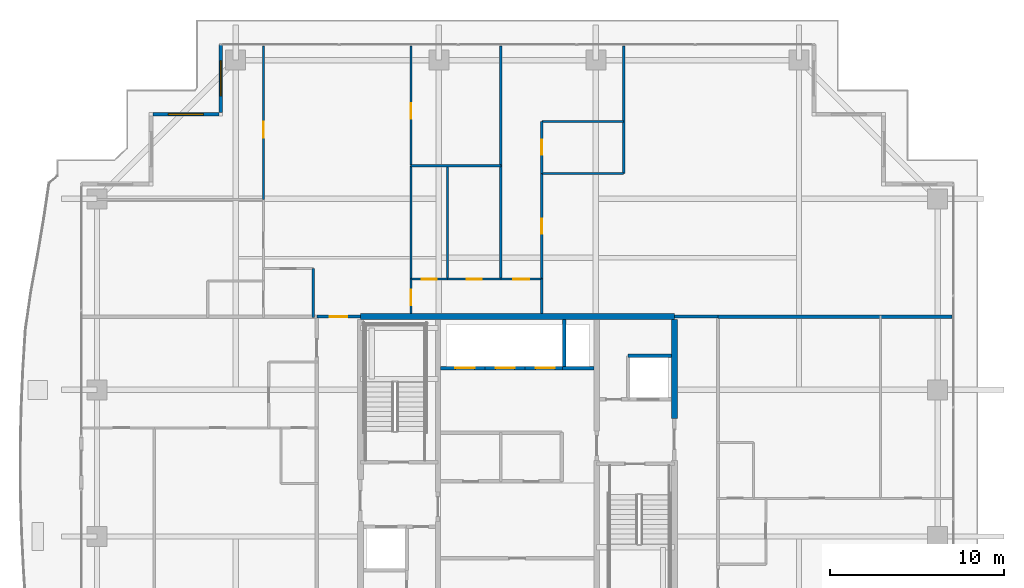
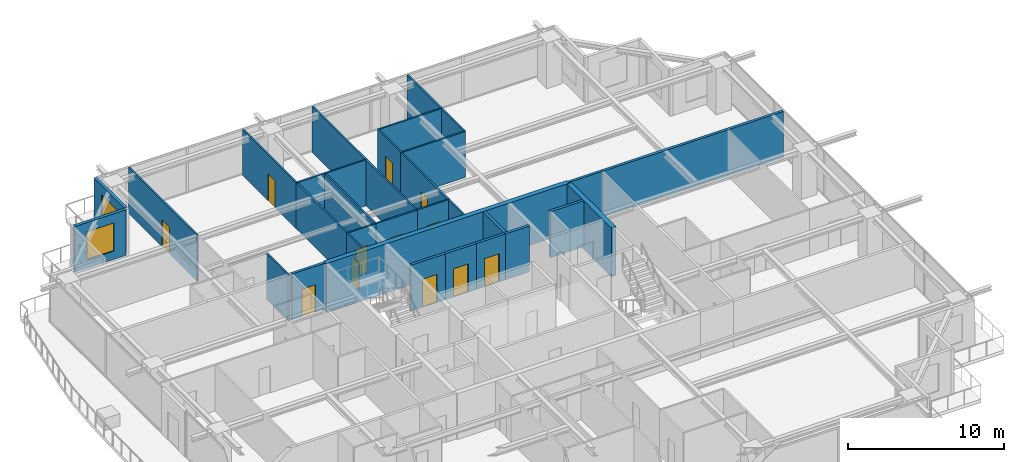
# One storey, part 28 of 36: 30 walls, 12 doors, 2 windows, 14 openings.
"""IFC4 building model written with IfcOpenShell, lengths in metres."""

from ifc_helpers import new_model, si_unit, direction, frame, frame_2d, origin, place, context, subcontext, project, spatial, rectangle, extrude, source, transform, mapped, material, layer, layer_set, type_object, element, fill, save


model = new_model("IFC4")

# Units and contexts
model_context = context("Model", 3, precision=1e-05, world=origin(), true_north=direction((0.0, 1.0)))
body_context = subcontext(model_context, "Body", "Model", "MODEL_VIEW")
ifc_project = project(units=[si_unit("LENGTHUNIT", "METRE"), si_unit("AREAUNIT", "SQUARE_METRE"), si_unit("VOLUMEUNIT", "CUBIC_METRE"), si_unit("PLANEANGLEUNIT", "RADIAN"), si_unit("MASSUNIT", "GRAM", prefix="KILO")], contexts=[model_context])

# Site, building, storey
site_placement = place(None, origin())
site = spatial("IfcSite", under=ifc_project, at=site_placement, CompositionType="ELEMENT")
building_placement = place(site_placement, origin())
building = spatial("IfcBuilding", under=site, at=building_placement, Name="Serunith Strait Residences", CompositionType="ELEMENT")
storey_placement = place(building_placement, frame((0.0, 0.0, 225.85009765625)))
storey = spatial("IfcBuildingStorey", under=building, at=storey_placement, Name="L56", CompositionType="ELEMENT", Elevation=225.85009765625)

# Wall, opening, window
ifc_material_1 = material(Name="Pale-Champagne Aluminium Insulated Panel", Category="aluminium")
ifc_layer_1 = layer(ifc_material_1, 0.219970703125, Name="Pale-Champagne Aluminium Insulated Panel")
ifc_layer_set_1 = layer_set([ifc_layer_1], Name="Pale-Champagne Aluminium Insulated Panel")
wall_type_1 = type_object("IfcWallType", Name="EW-ALUM-220", PredefinedType="ELEMENTEDWALL", material=ifc_layer_set_1)
wall_1_placement = place(storey_placement, frame((15.39990234375, 49.199951171875, 0.0), z_axis=(0.0, 0.0, 1.0), x_axis=(0.0, -1.0, 0.0)))
wall_1 = element("IfcWall", 1, at=wall_1_placement, inside=storey, type_object=wall_type_1, Name="L56 Girih Serrated Corner Wall 12", PredefinedType="ELEMENTEDWALL", context=body_context, shape_type="SweptSolid", body=[
    extrude(rectangle(XDim=3.889892578125, YDim=0.219970703125, at=frame_2d((1.94482421875, 0.0))), origin(), (0.0, 0.0, 1.0), 3.574951171875),
])
opening_1_placement = place(wall_1_placement, frame((0.945068359375, 0.0, 0.64990234375)))
opening_1 = element("IfcOpeningElement", 2, at=opening_1_placement, cuts=wall_1, Name="Opening W-04", PredefinedType="OPENING", context=body_context, shape_type="SweptSolid", body=[
    extrude(rectangle(XDim=2.0, YDim=2.199951171875, at=frame_2d((1.0, 1.10009765625))), frame((0.0, 0.1201171875, 0.0), z_axis=(0.0, -1.0, 0.0), x_axis=(1.0, 0.0, 0.0)), (0.0, 0.0, 1.0), 0.239990234375),
])
ifc_material_2 = material(Name="Ceramic-Fritted Operable Aluminium Window Glass", Category="aluminium")
window_type = type_object("IfcWindowType", Name="WIN-C4", PartitioningType="TRIPLE_PANEL_VERTICAL", PredefinedType="WINDOW", material=ifc_material_2)
shared_shape_1 = source(origin(), body_context, "Body", "SweptSolid", [
    extrude(rectangle(XDim=2.0, YDim=2.199951171875, at=frame_2d((1.0, 1.10009765625))), frame((0.0, 0.030029296875, 0.0), z_axis=(0.0, -1.0, 0.0), x_axis=(1.0, 0.0, 0.0)), (0.0, 0.0, 1.0), 0.06005859375),
])
window_1_placement = place(opening_1_placement, origin())
window_1 = element("IfcWindow", 3, at=window_1_placement, inside=storey, type_object=window_type, Name="L56 Corner Operable Fritted Window 12", OverallHeight=2.199951171875, OverallWidth=2.0, PartitioningType="SINGLE_PANEL", PredefinedType="WINDOW", context=body_context, shape_type="MappedRepresentation", body=[
    mapped(shared_shape_1, transform((0.0, 0.0, 0.0), scale=1.0)),
])
fill(opening_1, window_1)

wall_2_placement = place(storey_placement, frame((15.2900390625, 45.199951171875, 0.0), z_axis=(0.0, 0.0, 1.0), x_axis=(-1.0, 0.0, 0.0)))
wall_2 = element("IfcWall", 4, at=wall_2_placement, inside=storey, type_object=wall_type_1, Name="L56 Girih Serrated Corner Wall 13", PredefinedType="ELEMENTEDWALL", context=body_context, shape_type="SweptSolid", body=[
    extrude(rectangle(XDim=3.780029296875, YDim=0.219970703125, at=frame_2d((1.89013671875, 0.0))), origin(), (0.0, 0.0, 1.0), 3.574951171875),
])
opening_2_placement = place(wall_2_placement, frame((0.889892578125, 0.0, 0.64990234375)))
opening_2 = element("IfcOpeningElement", 5, at=opening_2_placement, cuts=wall_2, Name="Opening W-04", PredefinedType="OPENING", context=body_context, shape_type="SweptSolid", body=[
    extrude(rectangle(XDim=2.0, YDim=2.199951171875, at=frame_2d((1.0, 1.10009765625))), frame((0.0, 0.1201171875, 0.0), z_axis=(0.0, -1.0, 0.0), x_axis=(1.0, 0.0, 0.0)), (0.0, 0.0, 1.0), 0.239990234375),
])
window_2_placement = place(opening_2_placement, origin())
window_2 = element("IfcWindow", 6, at=window_2_placement, inside=storey, type_object=window_type, Name="L56 Corner Operable Fritted Window 13", OverallHeight=2.199951171875, OverallWidth=2.0, PartitioningType="SINGLE_PANEL", PredefinedType="WINDOW", context=body_context, shape_type="MappedRepresentation", body=[
    mapped(shared_shape_1, transform((0.0, 0.0, 0.0), scale=1.0)),
])
fill(opening_2, window_2)

# Wall, opening, door
ifc_material_3 = material(Name="Fire-rated acoustic gypsum partition")
ifc_layer_2 = layer(ifc_material_3, 0.179931640625, Name="Fire-rated acoustic gypsum partition")
ifc_layer_set_2 = layer_set([ifc_layer_2], Name="Fire-rated acoustic gypsum partition")
wall_type_2 = type_object("IfcWallType", Name="IW-CORR-180", PredefinedType="PARTITIONING", material=ifc_layer_set_2)
wall_3_placement = place(storey_placement, frame((20.902099609375, 33.60009765625, 0.0), z_axis=(0.0, 0.0, 1.0), x_axis=(1.0, 0.0, 0.0)))
wall_3 = element("IfcWall", 7, at=wall_3_placement, inside=storey, type_object=wall_type_2, Name="L56 Partition Wall 023", PredefinedType="PARTITIONING", context=body_context, shape_type="SweptSolid", body=[
    extrude(rectangle(XDim=2.495849609375, YDim=0.179931640625, at=frame_2d((1.248046875, 0.0))), origin(), (0.0, 0.0, 1.0), 3.58984375),
])
opening_3_placement = place(wall_3_placement, frame((0.748046875, 0.0, 0.0)))
opening_3 = element("IfcOpeningElement", 8, at=opening_3_placement, cuts=wall_3, Name="Opening D-APT1000", PredefinedType="OPENING", context=body_context, shape_type="SweptSolid", body=[
    extrude(rectangle(XDim=1.0, YDim=2.14990234375, at=frame_2d((0.5, 1.074951171875))), frame((0.0, 0.10009765625, 0.0), z_axis=(0.0, -1.0, 0.0), x_axis=(1.0, 0.0, 0.0)), (0.0, 0.0, 1.0), 0.199951171875),
])
ifc_material_4 = material(Name="Solid timber engineered fire door", Category="wood")
door_type_1 = type_object("IfcDoorType", Name="ID-APT-1000", OperationType="NOTDEFINED", PredefinedType="DOOR", material=ifc_material_4)
shared_shape_2 = source(origin(), body_context, "Body", "SweptSolid", [
    extrude(rectangle(XDim=1.0, YDim=2.14990234375, at=frame_2d((0.5, 1.074951171875))), frame((0.0, 0.02490234375, 0.0), z_axis=(0.0, -1.0, 0.0), x_axis=(1.0, 0.0, 0.0)), (0.0, 0.0, 1.0), 0.050048828125),
])
door_1_placement = place(opening_3_placement, origin())
door_1 = element("IfcDoor", 9, at=door_1_placement, inside=storey, type_object=door_type_1, Name="L56 Unit 02 Entrance Door", OperationType="SINGLE_SWING_RIGHT", OverallHeight=2.14990234375, OverallWidth=1.0, PredefinedType="DOOR", context=body_context, shape_type="MappedRepresentation", body=[
    mapped(shared_shape_2, transform((0.0, 0.0, 0.0), scale=1.0)),
])
fill(opening_3, door_1)

# Walls
wall_4_placement = place(storey_placement, frame((41.402099609375, 33.60009765625, 0.0), z_axis=(0.0, 0.0, 1.0), x_axis=(1.0, 0.0, 0.0)))
element("IfcWall", 10, at=wall_4_placement, inside=storey, type_object=wall_type_2, Name="L56 Partition Wall 026", PredefinedType="PARTITIONING", context=body_context, shape_type="SweptSolid", body=[
    extrude(rectangle(XDim=2.495849609375, YDim=0.179931640625, at=frame_2d((1.248046875, 0.0))), origin(), (0.0, 0.0, 1.0), 3.58984375),
])
ifc_material_5 = material(Name="Lightweight steel-stud gypsum partition", Category="steel")
ifc_layer_3 = layer(ifc_material_5, 0.1201171875, Name="Lightweight steel-stud gypsum partition")
ifc_layer_set_3 = layer_set([ifc_layer_3], Name="Lightweight steel-stud gypsum partition")
wall_type_3 = type_object("IfcWallType", Name="IW-PART-120", PredefinedType="PARTITIONING", material=ifc_layer_set_3)
wall_5_placement = place(storey_placement, frame((20.699951171875, 36.35009765625, 0.0), z_axis=(0.0, 0.0, 1.0), x_axis=(0.0, -1.0, 0.0)))
element("IfcWall", 11, at=wall_5_placement, inside=storey, type_object=wall_type_3, Name="L56 Partition Wall 052", PredefinedType="PARTITIONING", context=body_context, shape_type="SweptSolid", body=[
    extrude(rectangle(XDim=2.81005859375, YDim=0.1201171875, at=frame_2d((1.405029296875, 0.0))), origin(), (0.0, 0.0, 1.0), 3.58984375),
])

# Wall, opening, door
wall_6_placement = place(storey_placement, frame((17.85009765625, 49.10498046875, 0.0), z_axis=(0.0, 0.0, 1.0), x_axis=(0.0, -1.0, 0.0)))
wall_6 = element("IfcWall", 12, at=wall_6_placement, inside=storey, type_object=wall_type_3, Name="L56 Partition Wall 053", PredefinedType="PARTITIONING", context=body_context, shape_type="SweptSolid", body=[
    extrude(rectangle(XDim=8.799072265625, YDim=0.1201171875, at=frame_2d((4.3994140625, 0.0))), origin(), (0.0, 0.0, 1.0), 3.58984375),
])
opening_4_placement = place(wall_6_placement, frame((4.343994140625, 0.0, 0.0)))
opening_4 = element("IfcOpeningElement", 13, at=opening_4_placement, cuts=wall_6, Name="Opening D-RM900", PredefinedType="OPENING", context=body_context, shape_type="SweptSolid", body=[
    extrude(rectangle(XDim=0.89990234375, YDim=2.10009765625, at=frame_2d((0.449951171875, 1.050048828125))), frame((0.0, 0.070068359375, 0.0), z_axis=(0.0, -1.0, 0.0), x_axis=(1.0, 0.0, 0.0)), (0.0, 0.0, 1.0), 0.14013671875),
])
ifc_material_6 = material(Name="Engineered timber flush bedroom door", Category="wood")
door_type_2 = type_object("IfcDoorType", Name="ID-ROOM-900", OperationType="NOTDEFINED", PredefinedType="DOOR", material=ifc_material_6)
shared_shape_3 = source(origin(), body_context, "Body", "SweptSolid", [
    extrude(rectangle(XDim=0.89990234375, YDim=2.10009765625, at=frame_2d((0.449951171875, 1.050048828125))), frame((0.0, 0.02490234375, 0.0), z_axis=(0.0, -1.0, 0.0), x_axis=(1.0, 0.0, 0.0)), (0.0, 0.0, 1.0), 0.050048828125),
])
door_2_placement = place(opening_4_placement, origin())
door_2 = element("IfcDoor", 14, at=door_2_placement, inside=storey, type_object=door_type_2, Name="L56 Master Bedroom 1 5602 Door", OperationType="SINGLE_SWING_LEFT", OverallHeight=2.10009765625, OverallWidth=0.89990234375, PredefinedType="DOOR", context=body_context, shape_type="MappedRepresentation", body=[
    mapped(shared_shape_3, transform((0.0, 0.0, 0.0), scale=1.0)),
])
fill(opening_4, door_2)

wall_7_placement = place(storey_placement, frame((26.300048828125, 35.75, 0.0), z_axis=(0.0, 0.0, 1.0), x_axis=(0.0, -1.0, 0.0)))
wall_7 = element("IfcWall", 15, at=wall_7_placement, inside=storey, type_object=wall_type_3, Name="L56 Partition Wall 059", PredefinedType="PARTITIONING", context=body_context, shape_type="SweptSolid", body=[
    extrude(rectangle(XDim=1.97509765625, YDim=0.1201171875, at=frame_2d((0.987548828125, 0.0))), origin(), (0.0, 0.0, 1.0), 3.58984375),
])
opening_5_placement = place(wall_7_placement, frame((0.60107421875, 0.0, 0.0)))
opening_5 = element("IfcOpeningElement", 16, at=opening_5_placement, cuts=wall_7, Name="Opening D-RM900", PredefinedType="OPENING", context=body_context, shape_type="SweptSolid", body=[
    extrude(rectangle(XDim=0.89990234375, YDim=2.10009765625, at=frame_2d((0.449951171875, 1.050048828125))), frame((0.0, 0.070068359375, 0.0), z_axis=(0.0, -1.0, 0.0), x_axis=(1.0, 0.0, 0.0)), (0.0, 0.0, 1.0), 0.14013671875),
])
door_3_placement = place(opening_5_placement, origin())
door_3 = element("IfcDoor", 17, at=door_3_placement, inside=storey, type_object=door_type_2, Name="L56 Hall E 5602 Door", OperationType="SINGLE_SWING_RIGHT", OverallHeight=2.10009765625, OverallWidth=0.89990234375, PredefinedType="DOOR", context=body_context, shape_type="MappedRepresentation", body=[
    mapped(shared_shape_3, transform((0.0, 0.0, 0.0), scale=1.0)),
])
fill(opening_5, door_3)

wall_8_placement = place(storey_placement, frame((26.300048828125, 49.10498046875, 0.0), z_axis=(0.0, 0.0, 1.0), x_axis=(0.0, -1.0, 0.0)))
wall_8 = element("IfcWall", 18, at=wall_8_placement, inside=storey, type_object=wall_type_3, Name="L56 Partition Wall 060", PredefinedType="PARTITIONING", context=body_context, shape_type="SweptSolid", body=[
    extrude(rectangle(XDim=6.85498046875, YDim=0.1201171875, at=frame_2d((3.427490234375, 0.0))), origin(), (0.0, 0.0, 1.0), 3.58984375),
])
opening_6_placement = place(wall_8_placement, frame((3.27490234375, 0.0, 0.0)))
opening_6 = element("IfcOpeningElement", 19, at=opening_6_placement, cuts=wall_8, Name="Opening D-RM900", PredefinedType="OPENING", context=body_context, shape_type="SweptSolid", body=[
    extrude(rectangle(XDim=0.89990234375, YDim=2.10009765625, at=frame_2d((0.449951171875, 1.050048828125))), frame((0.0, 0.070068359375, 0.0), z_axis=(0.0, -1.0, 0.0), x_axis=(1.0, 0.0, 0.0)), (0.0, 0.0, 1.0), 0.14013671875),
])
door_4_placement = place(opening_6_placement, origin())
door_4 = element("IfcDoor", 20, at=door_4_placement, inside=storey, type_object=door_type_2, Name="L56 Formal Dining Room 2 5602 Door", OperationType="SINGLE_SWING_LEFT", OverallHeight=2.10009765625, OverallWidth=0.89990234375, PredefinedType="DOOR", context=body_context, shape_type="MappedRepresentation", body=[
    mapped(shared_shape_3, transform((0.0, 0.0, 0.0), scale=1.0)),
])
fill(opening_6, door_4)

# Walls
wall_9_placement = place(storey_placement, frame((26.300048828125, 42.248046875, 0.0), z_axis=(0.0, 0.0, 1.0), x_axis=(0.0, -1.0, 0.0)))
element("IfcWall", 21, at=wall_9_placement, inside=storey, type_object=wall_type_3, Name="L56 Partition Wall 061", PredefinedType="PARTITIONING", context=body_context, shape_type="SweptSolid", body=[
    extrude(rectangle(XDim=6.49609375, YDim=0.1201171875, at=frame_2d((3.248046875, 0.0))), origin(), (0.0, 0.0, 1.0), 3.58984375),
])
wall_10_placement = place(storey_placement, frame((26.300048828125, 42.25, 0.0), z_axis=(0.0, 0.0, 1.0), x_axis=(1.0, 0.0, 0.0)))
element("IfcWall", 22, at=wall_10_placement, inside=storey, type_object=wall_type_3, Name="L56 Partition Wall 062", PredefinedType="PARTITIONING", context=body_context, shape_type="SweptSolid", body=[
    extrude(rectangle(XDim=5.14990234375, YDim=0.1201171875, at=frame_2d((2.574951171875, 0.0))), origin(), (0.0, 0.0, 1.0), 3.58984375),
])
wall_11_placement = place(storey_placement, frame((31.449951171875, 49.10498046875, 0.0), z_axis=(0.0, 0.0, 1.0), x_axis=(0.0, -1.0, 0.0)))
element("IfcWall", 23, at=wall_11_placement, inside=storey, type_object=wall_type_3, Name="L56 Partition Wall 063", PredefinedType="PARTITIONING", context=body_context, shape_type="SweptSolid", body=[
    extrude(rectangle(XDim=13.35498046875, YDim=0.1201171875, at=frame_2d((6.677490234375, 0.0))), origin(), (0.0, 0.0, 1.0), 3.58984375),
])
wall_12_placement = place(storey_placement, frame((28.39990234375, 42.25, 0.0), z_axis=(0.0, 0.0, 1.0), x_axis=(0.0, -1.0, 0.0)))
element("IfcWall", 24, at=wall_12_placement, inside=storey, type_object=wall_type_3, Name="L56 Partition Wall 064", PredefinedType="PARTITIONING", context=body_context, shape_type="SweptSolid", body=[
    extrude(rectangle(XDim=6.5, YDim=0.1201171875, at=frame_2d((3.25, 0.0))), origin(), (0.0, 0.0, 1.0), 3.58984375),
])

# Wall, opening, door
wall_13_placement = place(storey_placement, frame((26.300048828125, 35.75, 0.0), z_axis=(0.0, 0.0, 1.0), x_axis=(1.0, 0.0, 0.0)))
wall_13 = element("IfcWall", 25, at=wall_13_placement, inside=storey, type_object=wall_type_3, Name="L56 Partition Wall 065", PredefinedType="PARTITIONING", context=body_context, shape_type="SweptSolid", body=[
    extrude(rectangle(XDim=2.099853515625, YDim=0.1201171875, at=frame_2d((1.0498046875, 0.0))), origin(), (0.0, 0.0, 1.0), 3.58984375),
])
opening_7_placement = place(wall_13_placement, frame((0.625, 0.0, 0.0)))
opening_7 = element("IfcOpeningElement", 26, at=opening_7_placement, cuts=wall_13, Name="Opening D-RM850", PredefinedType="OPENING", context=body_context, shape_type="SweptSolid", body=[
    extrude(rectangle(XDim=0.85009765625, YDim=2.10009765625, at=frame_2d((0.425048828125, 1.050048828125))), frame((0.0, 0.070068359375, 0.0), z_axis=(0.0, -1.0, 0.0), x_axis=(1.0, 0.0, 0.0)), (0.0, 0.0, 1.0), 0.14013671875),
])
ifc_material_7 = material(Name="Engineered timber flush study and kitchen door", Category="wood")
door_type_3 = type_object("IfcDoorType", Name="ID-ROOM-850", OperationType="NOTDEFINED", PredefinedType="DOOR", material=ifc_material_7)
shared_shape_4 = source(origin(), body_context, "Body", "SweptSolid", [
    extrude(rectangle(XDim=0.85009765625, YDim=2.10009765625, at=frame_2d((0.425048828125, 1.050048828125))), frame((0.0, 0.02490234375, 0.0), z_axis=(0.0, -1.0, 0.0), x_axis=(1.0, 0.0, 0.0)), (0.0, 0.0, 1.0), 0.050048828125),
])
door_5_placement = place(opening_7_placement, origin())
door_5 = element("IfcDoor", 27, at=door_5_placement, inside=storey, type_object=door_type_3, Name="L56 Study 5602 Door", OperationType="SINGLE_SWING_RIGHT", OverallHeight=2.10009765625, OverallWidth=0.85009765625, PredefinedType="DOOR", context=body_context, shape_type="MappedRepresentation", body=[
    mapped(shared_shape_4, transform((0.0, 0.0, 0.0), scale=1.0)),
])
fill(opening_7, door_5)

wall_14_placement = place(storey_placement, frame((28.402099609375, 35.75, 0.0), z_axis=(0.0, 0.0, 1.0), x_axis=(1.0, 0.0, 0.0)))
wall_14 = element("IfcWall", 28, at=wall_14_placement, inside=storey, type_object=wall_type_3, Name="L56 Partition Wall 066", PredefinedType="PARTITIONING", context=body_context, shape_type="SweptSolid", body=[
    extrude(rectangle(XDim=3.0478515625, YDim=0.1201171875, at=frame_2d((1.52392578125, 0.0))), origin(), (0.0, 0.0, 1.0), 3.58984375),
])
opening_8_placement = place(wall_14_placement, frame((1.09912109375, 0.0, 0.0)))
opening_8 = element("IfcOpeningElement", 29, at=opening_8_placement, cuts=wall_14, Name="Opening D-RM850", PredefinedType="OPENING", context=body_context, shape_type="SweptSolid", body=[
    extrude(rectangle(XDim=0.85009765625, YDim=2.10009765625, at=frame_2d((0.425048828125, 1.050048828125))), frame((0.0, 0.070068359375, 0.0), z_axis=(0.0, -1.0, 0.0), x_axis=(1.0, 0.0, 0.0)), (0.0, 0.0, 1.0), 0.14013671875),
])
door_6_placement = place(opening_8_placement, origin())
door_6 = element("IfcDoor", 30, at=door_6_placement, inside=storey, type_object=door_type_3, Name="L56 Formal Dining Room 5602 Door", OperationType="SINGLE_SWING_LEFT", OverallHeight=2.10009765625, OverallWidth=0.85009765625, PredefinedType="DOOR", context=body_context, shape_type="MappedRepresentation", body=[
    mapped(shared_shape_4, transform((0.0, 0.0, 0.0), scale=1.0)),
])
fill(opening_8, door_6)

wall_15_placement = place(storey_placement, frame((31.451904296875, 35.75, 0.0), z_axis=(0.0, 0.0, 1.0), x_axis=(1.0, 0.0, 0.0)))
wall_15 = element("IfcWall", 31, at=wall_15_placement, inside=storey, type_object=wall_type_3, Name="L56 Partition Wall 067", PredefinedType="PARTITIONING", context=body_context, shape_type="SweptSolid", body=[
    extrude(rectangle(XDim=2.34814453125, YDim=0.1201171875, at=frame_2d((1.174072265625, 0.0))), origin(), (0.0, 0.0, 1.0), 3.58984375),
])
opening_9_placement = place(wall_15_placement, frame((0.72412109375, 0.0, 0.0)))
opening_9 = element("IfcOpeningElement", 32, at=opening_9_placement, cuts=wall_15, Name="Opening D-RM900", PredefinedType="OPENING", context=body_context, shape_type="SweptSolid", body=[
    extrude(rectangle(XDim=0.89990234375, YDim=2.10009765625, at=frame_2d((0.449951171875, 1.050048828125))), frame((0.0, 0.070068359375, 0.0), z_axis=(0.0, -1.0, 0.0), x_axis=(1.0, 0.0, 0.0)), (0.0, 0.0, 1.0), 0.14013671875),
])
door_7_placement = place(opening_9_placement, origin())
door_7 = element("IfcDoor", 33, at=door_7_placement, inside=storey, type_object=door_type_2, Name="L56 Master Bedroom E 5602 Door", OperationType="SINGLE_SWING_RIGHT", OverallHeight=2.10009765625, OverallWidth=0.89990234375, PredefinedType="DOOR", context=body_context, shape_type="MappedRepresentation", body=[
    mapped(shared_shape_3, transform((0.0, 0.0, 0.0), scale=1.0)),
])
fill(opening_9, door_7)

# Walls
wall_16_placement = place(storey_placement, frame((33.800048828125, 44.791015625, 0.0), z_axis=(0.0, 0.0, 1.0), x_axis=(1.0, 0.0, 0.0)))
element("IfcWall", 34, at=wall_16_placement, inside=storey, type_object=wall_type_3, Name="L56 Partition Wall 068", PredefinedType="PARTITIONING", context=body_context, shape_type="SweptSolid", body=[
    extrude(rectangle(XDim=4.699951171875, YDim=0.1201171875, at=frame_2d((2.35009765625, 0.0))), origin(), (0.0, 0.0, 1.0), 3.58984375),
])
wall_17_placement = place(storey_placement, frame((38.5, 49.10498046875, 0.0), z_axis=(0.0, 0.0, 1.0), x_axis=(0.0, -1.0, 0.0)))
element("IfcWall", 35, at=wall_17_placement, inside=storey, type_object=wall_type_3, Name="L56 Partition Wall 069", PredefinedType="PARTITIONING", context=body_context, shape_type="SweptSolid", body=[
    extrude(rectangle(XDim=7.29296875, YDim=0.1201171875, at=frame_2d((3.646484375, 0.0))), origin(), (0.0, 0.0, 1.0), 3.58984375),
])
wall_18_placement = place(storey_placement, frame((33.800048828125, 41.81201171875, 0.0), z_axis=(0.0, 0.0, 1.0), x_axis=(1.0, 0.0, 0.0)))
element("IfcWall", 36, at=wall_18_placement, inside=storey, type_object=wall_type_3, Name="L56 Partition Wall 070", PredefinedType="PARTITIONING", context=body_context, shape_type="SweptSolid", body=[
    extrude(rectangle(XDim=4.699951171875, YDim=0.1201171875, at=frame_2d((2.35009765625, 0.0))), origin(), (0.0, 0.0, 1.0), 3.58984375),
])

# Wall, opening, door
wall_19_placement = place(storey_placement, frame((33.800048828125, 44.791015625, 0.0), z_axis=(0.0, 0.0, 1.0), x_axis=(0.0, -1.0, 0.0)))
wall_19 = element("IfcWall", 37, at=wall_19_placement, inside=storey, type_object=wall_type_3, Name="L56 Partition Wall 071", PredefinedType="PARTITIONING", context=body_context, shape_type="SweptSolid", body=[
    extrude(rectangle(XDim=2.97900390625, YDim=0.1201171875, at=frame_2d((1.489501953125, 0.0))), origin(), (0.0, 0.0, 1.0), 3.58984375),
])
opening_10_placement = place(wall_19_placement, frame((1.06396484375, 0.0, 0.0)))
opening_10 = element("IfcOpeningElement", 38, at=opening_10_placement, cuts=wall_19, Name="Opening D-BTH850", PredefinedType="OPENING", context=body_context, shape_type="SweptSolid", body=[
    extrude(rectangle(XDim=0.85009765625, YDim=2.10009765625, at=frame_2d((0.425048828125, 1.050048828125))), frame((0.0, 0.070068359375, 0.0), z_axis=(0.0, -1.0, 0.0), x_axis=(1.0, 0.0, 0.0)), (0.0, 0.0, 1.0), 0.14013671875),
])
ifc_material_8 = material(Name="Moisture-resistant timber bathroom door", Category="wood")
door_type_4 = type_object("IfcDoorType", Name="ID-BATH-850", OperationType="NOTDEFINED", PredefinedType="DOOR", material=ifc_material_8)
door_8_placement = place(opening_10_placement, origin())
door_8 = element("IfcDoor", 39, at=door_8_placement, inside=storey, type_object=door_type_4, Name="L56 En-suite Bathroom E 5602 Door", OperationType="SINGLE_SWING_LEFT", OverallHeight=2.10009765625, OverallWidth=0.85009765625, PredefinedType="DOOR", context=body_context, shape_type="MappedRepresentation", body=[
    mapped(shared_shape_4, transform((0.0, 0.0, 0.0), scale=1.0)),
])
fill(opening_10, door_8)

wall_20_placement = place(storey_placement, frame((33.800048828125, 41.81005859375, 0.0), z_axis=(0.0, 0.0, 1.0), x_axis=(0.0, -1.0, 0.0)))
wall_20 = element("IfcWall", 40, at=wall_20_placement, inside=storey, type_object=wall_type_3, Name="L56 Partition Wall 072", PredefinedType="PARTITIONING", context=body_context, shape_type="SweptSolid", body=[
    extrude(rectangle(XDim=6.06005859375, YDim=0.1201171875, at=frame_2d((3.030029296875, 0.0))), origin(), (0.0, 0.0, 1.0), 3.58984375),
])
opening_11_placement = place(wall_20_placement, frame((2.60498046875, 0.0, 0.0)))
opening_11 = element("IfcOpeningElement", 41, at=opening_11_placement, cuts=wall_20, Name="Opening D-RM850", PredefinedType="OPENING", context=body_context, shape_type="SweptSolid", body=[
    extrude(rectangle(XDim=0.85009765625, YDim=2.10009765625, at=frame_2d((0.425048828125, 1.050048828125))), frame((0.0, 0.070068359375, 0.0), z_axis=(0.0, -1.0, 0.0), x_axis=(1.0, 0.0, 0.0)), (0.0, 0.0, 1.0), 0.14013671875),
])
door_9_placement = place(opening_11_placement, origin())
door_9 = element("IfcDoor", 42, at=door_9_placement, inside=storey, type_object=door_type_3, Name="L56 Wardrobe E 5602 Door", OperationType="SINGLE_SWING_RIGHT", OverallHeight=2.10009765625, OverallWidth=0.85009765625, PredefinedType="DOOR", context=body_context, shape_type="MappedRepresentation", body=[
    mapped(shared_shape_4, transform((0.0, 0.0, 0.0), scale=1.0)),
])
fill(opening_11, door_9)

# Walls
wall_21_placement = place(storey_placement, frame((33.800048828125, 35.748046875, 0.0), z_axis=(0.0, 0.0, 1.0), x_axis=(0.0, -1.0, 0.0)))
element("IfcWall", 43, at=wall_21_placement, inside=storey, type_object=wall_type_3, Name="L56 Partition Wall 073", PredefinedType="PARTITIONING", context=body_context, shape_type="SweptSolid", body=[
    extrude(rectangle(XDim=1.97314453125, YDim=0.1201171875, at=frame_2d((0.986572265625, 0.0))), origin(), (0.0, 0.0, 1.0), 3.58984375),
])
ifc_material_9 = material(Name="Twin-stud acoustic gypsum board partition")
ifc_layer_4 = layer(ifc_material_9, 0.199951171875, Name="Twin-stud acoustic gypsum board partition")
ifc_layer_set_4 = layer_set([ifc_layer_4], Name="Twin-stud acoustic gypsum board partition")
wall_type_4 = type_object("IfcWallType", Name="IW-PARTY-200", PredefinedType="PARTITIONING", material=ifc_layer_set_4)
wall_22_placement = place(storey_placement, frame((43.89990234375, 33.60009765625, 0.0), z_axis=(0.0, 0.0, 1.0), x_axis=(1.0, 0.0, 0.0)))
element("IfcWall", 44, at=wall_22_placement, inside=storey, type_object=wall_type_4, Name="L56 Partition Wall 021", PredefinedType="PARTITIONING", context=body_context, shape_type="SweptSolid", body=[
    extrude(rectangle(XDim=13.418212890625, YDim=0.199951171875, at=frame_2d((6.708984375, 0.0))), origin(), (0.0, 0.0, 1.0), 3.58984375),
])

# Wall, opening, door
ifc_material_10 = material(Name="Autoclaved aerated concrete blockwork", Category="masonry")
ifc_layer_5 = layer(ifc_material_10, 0.199951171875, Name="Autoclaved aerated concrete blockwork")
ifc_layer_set_5 = layer_set([ifc_layer_5], Name="Autoclaved aerated concrete blockwork")
wall_type_5 = type_object("IfcWallType", Name="IW-SHAFT-200", PredefinedType="STANDARD", material=ifc_layer_set_5)
wall_23_placement = place(storey_placement, frame((28.0, 30.64990234375, 0.0), z_axis=(0.0, 0.0, 1.0), x_axis=(1.0, 0.0, 0.0)))
wall_23 = element("IfcWall", 45, at=wall_23_placement, inside=storey, type_object=wall_type_5, Name="L56 PL-7 South Shaft Wall", PredefinedType="STANDARD", context=body_context, shape_type="SweptSolid", body=[
    extrude(rectangle(XDim=2.550048828125, YDim=0.199951171875, at=frame_2d((1.27490234375, 0.0))), origin(), (0.0, 0.0, 1.0), 3.58984375),
])
opening_12_placement = place(wall_23_placement, frame((0.85009765625, 0.0, 0.0)))
opening_12 = element("IfcOpeningElement", 46, at=opening_12_placement, cuts=wall_23, Name="Opening LD-1100", PredefinedType="OPENING", context=body_context, shape_type="SweptSolid", body=[
    extrude(rectangle(XDim=1.10009765625, YDim=2.199951171875, at=frame_2d((0.550048828125, 1.10009765625))), frame((0.0, 0.10986328125, 0.0), z_axis=(0.0, -1.0, 0.0), x_axis=(1.0, 0.0, 0.0)), (0.0, 0.0, 1.0), 0.219970703125),
])
ifc_material_11 = material(Name="Pale-champagne stainless landing door")
door_type_5 = type_object("IfcDoorType", Name="LD-LIFT-1100", OperationType="DOUBLE_DOOR_SLIDING", PredefinedType="DOOR", material=ifc_material_11)
shared_shape_5 = source(origin(), body_context, "Body", "SweptSolid", [
    extrude(rectangle(XDim=1.10009765625, YDim=2.199951171875, at=frame_2d((0.550048828125, 1.10009765625))), frame((0.0, 0.02490234375, 0.0), z_axis=(0.0, -1.0, 0.0), x_axis=(1.0, 0.0, 0.0)), (0.0, 0.0, 1.0), 0.050048828125),
])
door_10_placement = place(opening_12_placement, origin())
door_10 = element("IfcDoor", 47, at=door_10_placement, inside=storey, type_object=door_type_5, Name="L56 PL-7 Landing Door", OperationType="DOUBLE_DOOR_SLIDING", OverallHeight=2.199951171875, OverallWidth=1.10009765625, PredefinedType="DOOR", context=body_context, shape_type="MappedRepresentation", body=[
    mapped(shared_shape_5, transform((0.0, 0.0, 0.0), scale=1.0)),
])
fill(opening_12, door_10)

wall_24_placement = place(storey_placement, frame((30.550048828125, 30.64990234375, 0.0), z_axis=(0.0, 0.0, 1.0), x_axis=(1.0, 0.0, 0.0)))
wall_24 = element("IfcWall", 48, at=wall_24_placement, inside=storey, type_object=wall_type_5, Name="L56 PL-8 South Shaft Wall", PredefinedType="STANDARD", context=body_context, shape_type="SweptSolid", body=[
    extrude(rectangle(XDim=2.300048828125, YDim=0.199951171875, at=frame_2d((1.14990234375, 0.0))), origin(), (0.0, 0.0, 1.0), 3.58984375),
])
opening_13_placement = place(wall_24_placement, frame((0.60009765625, 0.0, 0.0)))
opening_13 = element("IfcOpeningElement", 49, at=opening_13_placement, cuts=wall_24, Name="Opening LD-1100", PredefinedType="OPENING", context=body_context, shape_type="SweptSolid", body=[
    extrude(rectangle(XDim=1.10009765625, YDim=2.199951171875, at=frame_2d((0.550048828125, 1.10009765625))), frame((0.0, 0.10986328125, 0.0), z_axis=(0.0, -1.0, 0.0), x_axis=(1.0, 0.0, 0.0)), (0.0, 0.0, 1.0), 0.219970703125),
])
door_11_placement = place(opening_13_placement, origin())
door_11 = element("IfcDoor", 50, at=door_11_placement, inside=storey, type_object=door_type_5, Name="L56 PL-8 Landing Door", OperationType="DOUBLE_DOOR_SLIDING", OverallHeight=2.199951171875, OverallWidth=1.10009765625, PredefinedType="DOOR", context=body_context, shape_type="MappedRepresentation", body=[
    mapped(shared_shape_5, transform((0.0, 0.0, 0.0), scale=1.0)),
])
fill(opening_13, door_11)

wall_25_placement = place(storey_placement, frame((32.85009765625, 30.64990234375, 0.0), z_axis=(0.0, 0.0, 1.0), x_axis=(1.0, 0.0, 0.0)))
wall_25 = element("IfcWall", 51, at=wall_25_placement, inside=storey, type_object=wall_type_5, Name="L56 PL-9 South Shaft Wall", PredefinedType="STANDARD", context=body_context, shape_type="SweptSolid", body=[
    extrude(rectangle(XDim=2.14990234375, YDim=0.199951171875, at=frame_2d((1.074951171875, 0.0))), origin(), (0.0, 0.0, 1.0), 3.58984375),
])
opening_14_placement = place(wall_25_placement, frame((0.60009765625, 0.0, 0.0)))
opening_14 = element("IfcOpeningElement", 52, at=opening_14_placement, cuts=wall_25, Name="Opening LD-1100", PredefinedType="OPENING", context=body_context, shape_type="SweptSolid", body=[
    extrude(rectangle(XDim=1.10009765625, YDim=2.199951171875, at=frame_2d((0.550048828125, 1.10009765625))), frame((0.0, 0.10986328125, 0.0), z_axis=(0.0, -1.0, 0.0), x_axis=(1.0, 0.0, 0.0)), (0.0, 0.0, 1.0), 0.219970703125),
])
door_12_placement = place(opening_14_placement, origin())
door_12 = element("IfcDoor", 53, at=door_12_placement, inside=storey, type_object=door_type_5, Name="L56 PL-9 Landing Door", OperationType="DOUBLE_DOOR_SLIDING", OverallHeight=2.199951171875, OverallWidth=1.10009765625, PredefinedType="DOOR", context=body_context, shape_type="MappedRepresentation", body=[
    mapped(shared_shape_5, transform((0.0, 0.0, 0.0), scale=1.0)),
])
fill(opening_14, door_12)

# Walls
wall_26_placement = place(storey_placement, frame((35.0, 30.64990234375, 0.0), z_axis=(0.0, 0.0, 1.0), x_axis=(1.0, 0.0, 0.0)))
element("IfcWall", 54, at=wall_26_placement, inside=storey, type_object=wall_type_5, Name="L56 SL-1 South Shaft Wall", PredefinedType="STANDARD", context=body_context, shape_type="SweptSolid", body=[
    extrude(rectangle(XDim=1.800048828125, YDim=0.199951171875, at=frame_2d((0.89990234375, 0.0))), origin(), (0.0, 0.0, 1.0), 3.58984375),
])
wall_27_placement = place(storey_placement, frame((35.10009765625, 30.75, 0.0), z_axis=(0.0, 0.0, 1.0), x_axis=(0.0, 1.0, 0.0)))
element("IfcWall", 55, at=wall_27_placement, inside=storey, type_object=wall_type_5, Name="L56 SL-1 West Shaft Wall", PredefinedType="STANDARD", context=body_context, shape_type="SweptSolid", body=[
    extrude(rectangle(XDim=2.675048828125, YDim=0.199951171875, at=frame_2d((1.33740234375, 0.0))), origin(), (0.0, 0.0, 1.0), 3.58984375),
])
wall_28_placement = place(storey_placement, frame((38.75, 31.35009765625, 0.0), z_axis=(0.0, 0.0, 1.0), x_axis=(1.0, 0.0, 0.0)))
element("IfcWall", 56, at=wall_28_placement, inside=storey, type_object=wall_type_5, Name="L56 Partition Wall 005", PredefinedType="STANDARD", context=body_context, shape_type="SweptSolid", body=[
    extrude(rectangle(XDim=2.47509765625, YDim=0.199951171875, at=frame_2d((1.237548828125, 0.0))), origin(), (0.0, 0.0, 1.0), 3.58984375),
])
ifc_material_12 = material(Name="Concrete C60/75", Category="concrete")
ifc_layer_6 = layer(ifc_material_12, 0.35009765625, Name="Concrete C60/75")
ifc_layer_set_6 = layer_set([ifc_layer_6], Name="Concrete C60/75")
wall_type_6 = type_object("IfcWallType", Name="SW-350-C60", PredefinedType="SHEAR", material=ifc_layer_set_6)
wall_29_placement = place(storey_placement, frame((41.39990234375, 33.60009765625, -0.260009765625), z_axis=(0.0, 0.0, 1.0), x_axis=(-1.0, 0.0, 0.0)))
element("IfcWall", 57, at=wall_29_placement, inside=storey, type_object=wall_type_6, Name="L56 Core North Shear Wall", PredefinedType="SHEAR", context=body_context, shape_type="SweptSolid", body=[
    extrude(rectangle(XDim=18.0, YDim=0.35009765625, at=frame_2d((9.0, 0.0))), origin(), (0.0, 0.0, 1.0), 3.847900390625),
])
wall_30_placement = place(storey_placement, frame((41.39990234375, 27.75, -0.260009765625), z_axis=(0.0, 0.0, 1.0), x_axis=(0.0, 1.0, 0.0)))
element("IfcWall", 58, at=wall_30_placement, inside=storey, type_object=wall_type_6, Name="L56 Core East Shear Wall North Pier", PredefinedType="SHEAR", context=body_context, shape_type="SweptSolid", body=[
    extrude(rectangle(XDim=5.675048828125, YDim=0.35009765625, at=frame_2d((2.83740234375, 0.0))), origin(), (0.0, 0.0, 1.0), 3.847900390625),
])

save(model, "model.ifc")
